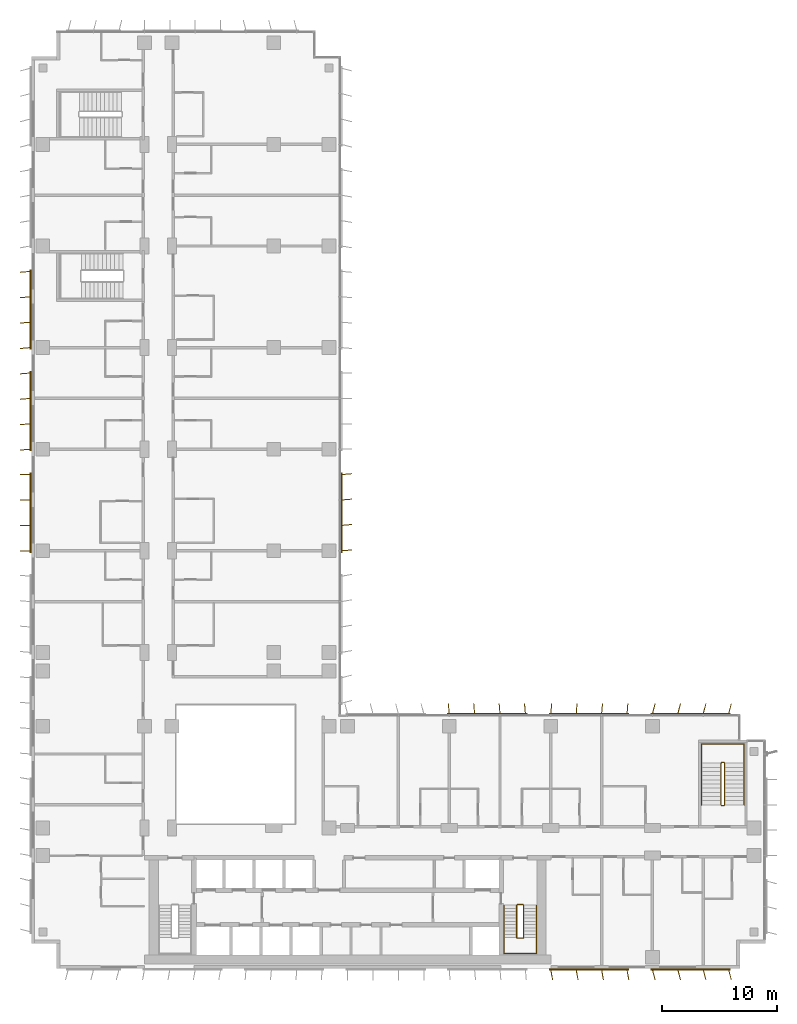
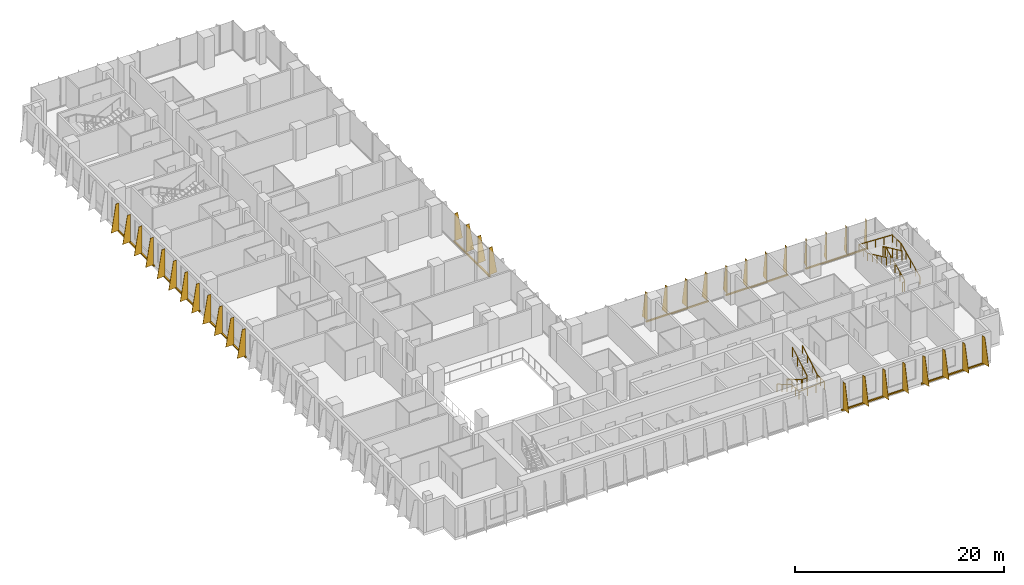
# One storey, part 21 of 23: 9 shading devices, 4 railings.
"""IFC4 building model written with IfcOpenShell, lengths in metres."""

from ifc_helpers import new_model, si_unit, direction, frame, origin, origin_2d, place, context, subcontext, project, spatial, polyline, rectangle, circle, outline, extrude, source, transform, mapped, material, layer, layer_set, type_object, element, save


model = new_model("IFC4")

# Units and contexts
model_context = context("Model", 3, precision=1e-05, world=origin(), true_north=direction((0.0, 1.0)))
body_context = subcontext(model_context, "Body", "Model", "MODEL_VIEW")
ifc_project = project(units=[si_unit("LENGTHUNIT", "METRE"), si_unit("AREAUNIT", "SQUARE_METRE"), si_unit("VOLUMEUNIT", "CUBIC_METRE"), si_unit("PLANEANGLEUNIT", "RADIAN"), si_unit("MASSUNIT", "GRAM", prefix="KILO")], contexts=[model_context])

# Site, building, storey
site_placement = place(None, origin())
site = spatial("IfcSite", under=ifc_project, at=site_placement, CompositionType="ELEMENT")
building_placement = place(site_placement, origin())
building = spatial("IfcBuilding", under=site, at=building_placement, Name="Kemantara Hotel Tower", CompositionType="ELEMENT")
storey_placement = place(building_placement, frame((0.0, 0.0, 118.5)))
storey = spatial("IfcBuildingStorey", under=building, at=storey_placement, Name="L28", CompositionType="ELEMENT", Elevation=118.5)

# Railings
ifc_material_1 = material(Name="Stainless steel balustrade", Category="steel")
railing_type_1 = type_object("IfcRailingType", Name="Stair guard 1100 mm", PredefinedType="GUARDRAIL", material=ifc_material_1)
railing_1_placement = place(storey_placement, frame((42.64990234375, 5.5, 3.699951171875)))
element("IfcRailing", 1, at=railing_1_placement, inside=storey, type_object=railing_type_1, Name="L28 ST2 stair guard 1", PredefinedType="GUARDRAIL", context=body_context, shape_type="SweptSolid", body=[
    extrude(circle(Radius=0.02392578125, at=origin_2d()), frame((0.0, 0.0, 1.076171875), z_axis=(0.0, -0.857242210791, -0.514913383045), x_axis=(1.0, 0.0, 0.0)), (0.0, 0.0, 1.0), 3.266357421875),
    extrude(circle(Radius=0.02392578125, at=origin_2d()), frame((0.0, -2.800048828125, -0.60595703125), z_axis=(-0.273343290215, -0.274683208305, -0.921863645432), x_axis=(0.708833529934, -0.705375805398, 0.0)), (0.0, 0.0, 1.0), 0.18212890625),
    extrude(circle(Radius=0.02392578125, at=origin_2d()), frame((-0.0498046875, -2.85009765625, -0.77392578125), z_axis=(-1.0, 0.0, 0.0), x_axis=(0.0, -1.0, 0.0)), (0.0, 0.0, 1.0), 0.5),
    extrude(circle(Radius=0.02392578125, at=origin_2d()), frame((-0.5498046875, -2.85009765625, -0.77392578125), z_axis=(-0.707106781187, 0.707106781187, 0.0), x_axis=(-0.707106781187, -0.707106781187, 0.0)), (0.0, 0.0, 1.0), 0.07080078125),
    extrude(circle(Radius=0.02392578125, at=origin_2d()), frame((-0.599853515625, -2.800048828125, -0.77392578125), z_axis=(0.0, 0.857242210791, -0.514913383045), x_axis=(-1.0, 0.0, 0.0)), (0.0, 0.0, 1.0), 3.266357421875),
    extrude(circle(Radius=0.02392578125, at=origin_2d()), frame((-0.599853515625, 0.0, -2.45556640625), z_axis=(0.274243871929, 0.274243871929, -0.92172696468), x_axis=(-0.707106781187, 0.707106781187, 0.0)), (0.0, 0.0, 1.0), 0.1826171875),
    extrude(circle(Radius=0.02392578125, at=origin_2d()), frame((-0.5498046875, 0.050048828125, -2.6240234375), z_axis=(1.0, 0.0, 0.0), x_axis=(0.0, 1.0, 0.0)), (0.0, 0.0, 1.0), 0.5),
    extrude(circle(Radius=0.02099609375, at=origin_2d()), origin(), (0.0, 0.0, 1.0), 1.052001953125),
    extrude(circle(Radius=0.02099609375, at=origin_2d()), frame((0.0, -0.933349609375, -0.560546875)), (0.0, 0.0, 1.0), 1.052001953125),
    extrude(circle(Radius=0.02099609375, at=origin_2d()), frame((0.0, -1.86669921875, -1.121337890625)), (0.0, 0.0, 1.0), 1.052001953125),
    extrude(circle(Radius=0.02099609375, at=origin_2d()), frame((0.0, -2.800048828125, -1.681884765625)), (0.0, 0.0, 1.0), 1.052001953125),
    extrude(circle(Radius=0.02099609375, at=origin_2d()), frame((-0.0498046875, -2.85009765625, -1.849853515625)), (0.0, 0.0, 1.0), 1.052001953125),
    extrude(circle(Radius=0.02099609375, at=origin_2d()), frame((-0.5498046875, -2.85009765625, -1.849853515625)), (0.0, 0.0, 1.0), 1.052001953125),
    extrude(circle(Radius=0.02099609375, at=origin_2d()), frame((-0.599853515625, -2.800048828125, -1.849853515625)), (0.0, 0.0, 1.0), 1.052001953125),
    extrude(circle(Radius=0.02099609375, at=origin_2d()), frame((-0.599853515625, -1.86669921875, -2.410400390625)), (0.0, 0.0, 1.0), 1.052001953125),
    extrude(circle(Radius=0.02099609375, at=origin_2d()), frame((-0.599853515625, -0.933349609375, -2.97119140625)), (0.0, 0.0, 1.0), 1.052001953125),
    extrude(circle(Radius=0.02099609375, at=origin_2d()), frame((-0.599853515625, 0.0, -3.53173828125)), (0.0, 0.0, 1.0), 1.052001953125),
    extrude(circle(Radius=0.02099609375, at=origin_2d()), frame((-0.5498046875, 0.050048828125, -3.699951171875)), (0.0, 0.0, 1.0), 1.052001953125),
    extrude(circle(Radius=0.02099609375, at=origin_2d()), frame((-0.0498046875, 0.050048828125, -3.699951171875)), (0.0, 0.0, 1.0), 1.052001953125),
])
railing_2_placement = place(storey_placement, frame((59.75, 14.199951171875, 3.699951171875)))
element("IfcRailing", 2, at=railing_2_placement, inside=storey, type_object=railing_type_1, Name="L28 ST3 stair guard 1", PredefinedType="GUARDRAIL", context=body_context, shape_type="SweptSolid", body=[
    extrude(circle(Radius=0.02392578125, at=origin_2d()), frame((0.0, 0.0, 1.076171875), z_axis=(0.0, 0.906005689286, -0.423265508849), x_axis=(-1.0, 0.0, 0.0)), (0.0, 0.0, 1.0), 3.9736328125),
    extrude(circle(Radius=0.02392578125, at=origin_2d()), frame((0.0, 3.60009765625, -0.60595703125), z_axis=(0.274582412415, 0.274582412415, -0.921525364591), x_axis=(-0.707106781187, 0.707106781187, 0.0)), (0.0, 0.0, 1.0), 0.182373046875),
    extrude(circle(Radius=0.02392578125, at=origin_2d()), frame((0.050048828125, 3.650146484375, -0.77392578125), z_axis=(1.0, 0.0, 0.0), x_axis=(0.0, 1.0, 0.0)), (0.0, 0.0, 1.0), 0.199951171875),
    extrude(circle(Radius=0.02392578125, at=origin_2d()), frame((0.25, 3.650146484375, -0.77392578125), z_axis=(0.707106781187, -0.707106781187, 0.0), x_axis=(0.707106781187, 0.707106781187, 0.0)), (0.0, 0.0, 1.0), 0.07080078125),
    extrude(circle(Radius=0.02392578125, at=origin_2d()), frame((0.300048828125, 3.60009765625, -0.77392578125), z_axis=(0.0, -0.906005689286, -0.423265508849), x_axis=(1.0, 0.0, 0.0)), (0.0, 0.0, 1.0), 3.9736328125),
    extrude(circle(Radius=0.02392578125, at=origin_2d()), frame((0.300048828125, 0.0, -2.45556640625), z_axis=(-0.274243871929, -0.274243871929, -0.92172696468), x_axis=(0.707106781187, -0.707106781187, 0.0)), (0.0, 0.0, 1.0), 0.1826171875),
    extrude(circle(Radius=0.02392578125, at=origin_2d()), frame((0.25, -0.050048828125, -2.6240234375), z_axis=(-1.0, 0.0, 0.0), x_axis=(0.0, -1.0, 0.0)), (0.0, 0.0, 1.0), 0.199951171875),
    extrude(circle(Radius=0.02099609375, at=origin_2d()), origin(), (0.0, 0.0, 1.0), 1.052001953125),
    extrude(circle(Radius=0.02099609375, at=origin_2d()), frame((0.0, 0.89990234375, -0.42041015625)), (0.0, 0.0, 1.0), 1.052001953125),
    extrude(circle(Radius=0.02099609375, at=origin_2d()), frame((0.0, 1.800048828125, -0.8408203125)), (0.0, 0.0, 1.0), 1.052001953125),
    extrude(circle(Radius=0.02099609375, at=origin_2d()), frame((0.0, 2.7001953125, -1.261474609375)), (0.0, 0.0, 1.0), 1.052001953125),
    extrude(circle(Radius=0.02099609375, at=origin_2d()), frame((0.0, 3.60009765625, -1.681884765625)), (0.0, 0.0, 1.0), 1.052001953125),
    extrude(circle(Radius=0.02099609375, at=origin_2d()), frame((0.050048828125, 3.650146484375, -1.849853515625)), (0.0, 0.0, 1.0), 1.052001953125),
    extrude(circle(Radius=0.02099609375, at=origin_2d()), frame((0.25, 3.650146484375, -1.849853515625)), (0.0, 0.0, 1.0), 1.052001953125),
    extrude(circle(Radius=0.02099609375, at=origin_2d()), frame((0.300048828125, 3.60009765625, -1.849853515625)), (0.0, 0.0, 1.0), 1.052001953125),
    extrude(circle(Radius=0.02099609375, at=origin_2d()), frame((0.300048828125, 2.7001953125, -2.270263671875)), (0.0, 0.0, 1.0), 1.052001953125),
    extrude(circle(Radius=0.02099609375, at=origin_2d()), frame((0.300048828125, 1.800048828125, -2.69091796875)), (0.0, 0.0, 1.0), 1.052001953125),
    extrude(circle(Radius=0.02099609375, at=origin_2d()), frame((0.300048828125, 0.89990234375, -3.111328125)), (0.0, 0.0, 1.0), 1.052001953125),
    extrude(circle(Radius=0.02099609375, at=origin_2d()), frame((0.300048828125, 0.0, -3.53173828125)), (0.0, 0.0, 1.0), 1.052001953125),
    extrude(circle(Radius=0.02099609375, at=origin_2d()), frame((0.25, -0.050048828125, -3.699951171875)), (0.0, 0.0, 1.0), 1.052001953125),
    extrude(circle(Radius=0.02099609375, at=origin_2d()), frame((0.050048828125, -0.050048828125, -3.699951171875)), (0.0, 0.0, 1.0), 1.052001953125),
])
railing_type_2 = type_object("IfcRailingType", Name="Stair handrail 900 mm", PredefinedType="HANDRAIL", material=ifc_material_1)
railing_3_placement = place(storey_placement, frame((40.949951171875, 5.5, 0.168212890625)))
element("IfcRailing", 3, at=railing_3_placement, inside=storey, type_object=railing_type_2, Name="L28 ST2 stair handrail 1", PredefinedType="HANDRAIL", context=body_context, shape_type="SweptSolid", body=[
    extrude(circle(Radius=0.02392578125, at=origin_2d()), frame((0.0, 0.0, 0.8759765625), z_axis=(0.0, -0.857242210791, 0.514913383045), x_axis=(1.0, 0.0, 0.0)), (0.0, 0.0, 1.0), 3.266357421875),
    extrude(circle(Radius=0.02392578125, at=origin_2d()), frame((0.0, -2.800048828125, 2.5576171875), z_axis=(0.0, -1.0, 0.0), x_axis=(1.0, 0.0, 0.0)), (0.0, 0.0, 1.0), 1.3798828125),
    extrude(circle(Radius=0.02392578125, at=origin_2d()), frame((0.0, -4.179931640625, 2.5576171875), z_axis=(0.998205573864, 0.0, 0.059880149518), x_axis=(0.0, 1.0, 0.0)), (0.0, 0.0, 1.0), 2.80517578125),
    extrude(circle(Radius=0.02392578125, at=origin_2d()), frame((2.800048828125, -4.179931640625, 2.7255859375), z_axis=(0.0, 1.0, 0.0), x_axis=(-1.0, 0.0, 0.0)), (0.0, 0.0, 1.0), 1.3798828125),
    extrude(circle(Radius=0.02392578125, at=origin_2d()), frame((2.800048828125, -2.800048828125, 2.7255859375), z_axis=(0.0, 0.857242210791, 0.514913383045), x_axis=(-1.0, 0.0, 0.0)), (0.0, 0.0, 1.0), 3.266357421875),
    extrude(circle(Radius=0.02099609375, at=origin_2d()), origin(), (0.0, 0.0, 1.0), 0.851806640625),
    extrude(circle(Radius=0.02099609375, at=origin_2d()), frame((0.0, -0.933349609375, 0.560546875)), (0.0, 0.0, 1.0), 0.851806640625),
    extrude(circle(Radius=0.02099609375, at=origin_2d()), frame((0.0, -1.86669921875, 1.121337890625)), (0.0, 0.0, 1.0), 0.851806640625),
    extrude(circle(Radius=0.02099609375, at=origin_2d()), frame((0.0, -2.800048828125, 1.681884765625)), (0.0, 0.0, 1.0), 0.851806640625),
    extrude(circle(Radius=0.02099609375, at=origin_2d()), frame((0.0, -3.489990234375, 1.681884765625)), (0.0, 0.0, 1.0), 0.851806640625),
    extrude(circle(Radius=0.02099609375, at=origin_2d()), frame((0.0, -4.179931640625, 1.681884765625)), (0.0, 0.0, 1.0), 0.851806640625),
    extrude(circle(Radius=0.02099609375, at=origin_2d()), frame((0.933349609375, -4.179931640625, 1.73779296875)), (0.0, 0.0, 1.0), 0.851806640625),
    extrude(circle(Radius=0.02099609375, at=origin_2d()), frame((1.86669921875, -4.179931640625, 1.7939453125)), (0.0, 0.0, 1.0), 0.851806640625),
    extrude(circle(Radius=0.02099609375, at=origin_2d()), frame((2.800048828125, -4.179931640625, 1.849853515625)), (0.0, 0.0, 1.0), 0.851806640625),
    extrude(circle(Radius=0.02099609375, at=origin_2d()), frame((2.800048828125, -3.489990234375, 1.849853515625)), (0.0, 0.0, 1.0), 0.851806640625),
    extrude(circle(Radius=0.02099609375, at=origin_2d()), frame((2.800048828125, -2.800048828125, 1.849853515625)), (0.0, 0.0, 1.0), 0.851806640625),
    extrude(circle(Radius=0.02099609375, at=origin_2d()), frame((2.800048828125, -1.86669921875, 2.410400390625)), (0.0, 0.0, 1.0), 0.851806640625),
    extrude(circle(Radius=0.02099609375, at=origin_2d()), frame((2.800048828125, -0.933349609375, 2.97119140625)), (0.0, 0.0, 1.0), 0.851806640625),
    extrude(circle(Radius=0.02099609375, at=origin_2d()), frame((2.800048828125, 0.0, 3.53173828125)), (0.0, 0.0, 1.0), 0.851806640625),
])
railing_4_placement = place(storey_placement, frame((61.75, 14.199951171875, 0.168212890625)))
element("IfcRailing", 4, at=railing_4_placement, inside=storey, type_object=railing_type_2, Name="L28 ST3 stair handrail 1", PredefinedType="HANDRAIL", context=body_context, shape_type="SweptSolid", body=[
    extrude(circle(Radius=0.02392578125, at=origin_2d()), frame((0.0, 0.0, 0.8759765625), z_axis=(0.0, 0.906005689286, 0.423265508849), x_axis=(-1.0, 0.0, 0.0)), (0.0, 0.0, 1.0), 3.9736328125),
    extrude(circle(Radius=0.02392578125, at=origin_2d()), frame((0.0, 3.60009765625, 2.5576171875), z_axis=(0.0, 1.0, 0.0), x_axis=(-1.0, 0.0, 0.0)), (0.0, 0.0, 1.0), 1.679931640625),
    extrude(circle(Radius=0.02392578125, at=origin_2d()), frame((0.0, 5.280029296875, 2.5576171875), z_axis=(-0.998971120908, 0.0, 0.045350849963), x_axis=(0.0, -1.0, 0.0)), (0.0, 0.0, 1.0), 3.703857421875),
    extrude(circle(Radius=0.02392578125, at=origin_2d()), frame((-3.699951171875, 5.280029296875, 2.7255859375), z_axis=(0.0, -1.0, 0.0), x_axis=(1.0, 0.0, 0.0)), (0.0, 0.0, 1.0), 1.679931640625),
    extrude(circle(Radius=0.02392578125, at=origin_2d()), frame((-3.699951171875, 3.60009765625, 2.7255859375), z_axis=(0.0, -0.906005689286, 0.423265508849), x_axis=(1.0, 0.0, 0.0)), (0.0, 0.0, 1.0), 3.9736328125),
    extrude(circle(Radius=0.02099609375, at=origin_2d()), origin(), (0.0, 0.0, 1.0), 0.851806640625),
    extrude(circle(Radius=0.02099609375, at=origin_2d()), frame((0.0, 0.89990234375, 0.42041015625)), (0.0, 0.0, 1.0), 0.851806640625),
    extrude(circle(Radius=0.02099609375, at=origin_2d()), frame((0.0, 1.800048828125, 0.8408203125)), (0.0, 0.0, 1.0), 0.851806640625),
    extrude(circle(Radius=0.02099609375, at=origin_2d()), frame((0.0, 2.7001953125, 1.261474609375)), (0.0, 0.0, 1.0), 0.851806640625),
    extrude(circle(Radius=0.02099609375, at=origin_2d()), frame((0.0, 3.60009765625, 1.681884765625)), (0.0, 0.0, 1.0), 0.851806640625),
    extrude(circle(Radius=0.02099609375, at=origin_2d()), frame((0.0, 4.43994140625, 1.681884765625)), (0.0, 0.0, 1.0), 0.851806640625),
    extrude(circle(Radius=0.02099609375, at=origin_2d()), frame((0.0, 5.280029296875, 1.681884765625)), (0.0, 0.0, 1.0), 0.851806640625),
    extrude(circle(Radius=0.02099609375, at=origin_2d()), frame((-0.925048828125, 5.280029296875, 1.723876953125)), (0.0, 0.0, 1.0), 0.851806640625),
    extrude(circle(Radius=0.02099609375, at=origin_2d()), frame((-1.85009765625, 5.280029296875, 1.765869140625)), (0.0, 0.0, 1.0), 0.851806640625),
    extrude(circle(Radius=0.02099609375, at=origin_2d()), frame((-2.77490234375, 5.280029296875, 1.807861328125)), (0.0, 0.0, 1.0), 0.851806640625),
    extrude(circle(Radius=0.02099609375, at=origin_2d()), frame((-3.699951171875, 5.280029296875, 1.849853515625)), (0.0, 0.0, 1.0), 0.851806640625),
    extrude(circle(Radius=0.02099609375, at=origin_2d()), frame((-3.699951171875, 4.43994140625, 1.849853515625)), (0.0, 0.0, 1.0), 0.851806640625),
    extrude(circle(Radius=0.02099609375, at=origin_2d()), frame((-3.699951171875, 3.60009765625, 1.849853515625)), (0.0, 0.0, 1.0), 0.851806640625),
    extrude(circle(Radius=0.02099609375, at=origin_2d()), frame((-3.699951171875, 2.7001953125, 2.270263671875)), (0.0, 0.0, 1.0), 0.851806640625),
    extrude(circle(Radius=0.02099609375, at=origin_2d()), frame((-3.699951171875, 1.800048828125, 2.69091796875)), (0.0, 0.0, 1.0), 0.851806640625),
    extrude(circle(Radius=0.02099609375, at=origin_2d()), frame((-3.699951171875, 0.89990234375, 3.111328125)), (0.0, 0.0, 1.0), 0.851806640625),
    extrude(circle(Radius=0.02099609375, at=origin_2d()), frame((-3.699951171875, 0.0, 3.53173828125)), (0.0, 0.0, 1.0), 0.851806640625),
])

# Shading devices
ifc_material_2 = material(Name="Perforated aluminium plate 4 mm bronze anodised", Category="aluminium")
ifc_layer_1 = layer(ifc_material_2, 0.0400390625)
ifc_layer_set_1 = layer_set([ifc_layer_1], Name="Perforated aluminium plate 4 mm bronze anodised")
shading_device_type_1 = type_object("IfcShadingDeviceType", Name="SCREEN FIN CASSETTE, 4 BLADES AT -5.0 DEG, 3200 HIGH", PredefinedType="USERDEFINED", material=ifc_layer_set_1)
shared_shape_1 = source(origin(), body_context, "Body", "SweptSolid", [
    extrude(rectangle(XDim=6.89990234375, YDim=0.14990234375, at=origin_2d()), frame((3.300048828125, -0.074951171875, -0.14990234375), z_axis=(0.0, 0.0, 1.0), x_axis=(1.0, 0.0, 0.0)), (0.0, 0.0, 1.0), 0.14990234375),
    extrude(outline(polyline([(0.0, 0.0), (0.89990234375, 0.0), (0.35009765625, 3.199951171875), (0.0, 3.199951171875), (0.0, 0.0)])), frame((0.02001953125, -0.07666015625, 0.0), z_axis=(-0.996376129781, 0.085056498884, 0.0), x_axis=(-0.085056498884, -0.996376129781, 0.0)), (0.0, 0.0, 1.0), 0.040283203125),
    extrude(outline(polyline([(0.0, 0.0), (0.89990234375, 0.0), (0.35009765625, 3.199951171875), (0.0, 3.199951171875), (0.0, 0.0)])), frame((2.219970703125, -0.07666015625, 0.0), z_axis=(-0.996331773833, 0.085574508182, 0.0), x_axis=(-0.085574508182, -0.996331773833, 0.0)), (0.0, 0.0, 1.0), 0.0400390625),
    extrude(outline(polyline([(0.0, 0.0), (0.89990234375, 0.0), (0.35009765625, 3.199951171875), (0.0, 3.199951171875), (0.0, 0.0)])), frame((4.419921875, -0.07666015625, 0.0), z_axis=(-0.996331773833, 0.085574508182, 0.0), x_axis=(-0.085574508182, -0.996331773833, 0.0)), (0.0, 0.0, 1.0), 0.0400390625),
    extrude(outline(polyline([(0.0, 0.0), (0.89990234375, 0.0), (0.35009765625, 3.199951171875), (0.0, 3.199951171875), (0.0, 0.0)])), frame((6.619873046875, -0.07666015625, 0.0), z_axis=(-0.996331773833, 0.085574508182, 0.0), x_axis=(-0.085574508182, -0.996331773833, 0.0)), (0.0, 0.0, 1.0), 0.0400390625),
])
shading_device_1_placement = place(storey_placement, frame((51.60009765625, 22.0, 0.10009765625), z_axis=(0.0, 0.0, 1.0), x_axis=(-1.0, 0.0, 0.0)))
element("IfcShadingDevice", 5, at=shading_device_1_placement, inside=storey, type_object=shading_device_type_1, Name="SCREEN FIN CASSETTE L28 T2-R13-2", ObjectType="SCREEN FIN", PredefinedType="USERDEFINED", context=body_context, shape_type="MappedRepresentation", body=[
    mapped(shared_shape_1, transform((0.0, 0.0, 0.0))),
])
ifc_layer_2 = layer(ifc_material_2, 0.0400390625)
ifc_layer_set_2 = layer_set([ifc_layer_2], Name="Perforated aluminium plate 4 mm bronze anodised")
shading_device_type_2 = type_object("IfcShadingDeviceType", Name="SCREEN FIN CASSETTE, 4 BLADES AT +0.0 DEG, 3200 HIGH", PredefinedType="USERDEFINED", material=ifc_layer_set_2)
shared_shape_2 = source(origin(), body_context, "Body", "SweptSolid", [
    extrude(rectangle(XDim=6.89990234375, YDim=0.14990234375, at=origin_2d()), frame((3.300048828125, -0.074951171875, -0.14990234375), z_axis=(0.0, 0.0, 1.0), x_axis=(1.0, 0.0, 0.0)), (0.0, 0.0, 1.0), 0.14990234375),
    extrude(outline(polyline([(0.0, 0.0), (0.89990234375, 0.0), (0.35009765625, 3.199951171875), (0.0, 3.199951171875), (0.0, 0.0)])), frame((0.02001953125, -0.074951171875, 0.0), z_axis=(-1.0, 0.0, 0.0), x_axis=(0.0, -1.0, 0.0)), (0.0, 0.0, 1.0), 0.0400390625),
    extrude(outline(polyline([(0.0, 0.0), (0.89990234375, 0.0), (0.35009765625, 3.199951171875), (0.0, 3.199951171875), (0.0, 0.0)])), frame((2.219970703125, -0.074951171875, 0.0), z_axis=(-1.0, 0.0, 0.0), x_axis=(0.0, -1.0, 0.0)), (0.0, 0.0, 1.0), 0.0400390625),
    extrude(outline(polyline([(0.0, 0.0), (0.89990234375, 0.0), (0.35009765625, 3.199951171875), (0.0, 3.199951171875), (0.0, 0.0)])), frame((4.419921875, -0.074951171875, 0.0), z_axis=(-1.0, 0.0, 0.0), x_axis=(0.0, -1.0, 0.0)), (0.0, 0.0, 1.0), 0.0400390625),
    extrude(outline(polyline([(0.0, 0.0), (0.89990234375, 0.0), (0.35009765625, 3.199951171875), (0.0, 3.199951171875), (0.0, 0.0)])), frame((6.6201171875, -0.074951171875, 0.0), z_axis=(-1.0, 0.0, 0.0), x_axis=(0.0, -1.0, 0.0)), (0.0, 0.0, 1.0), 0.0400390625),
])
shading_device_2_placement = place(storey_placement, frame((0.0, 42.800048828125, 0.10009765625), z_axis=(0.0, 0.0, 1.0), x_axis=(0.0, -1.0, 0.0)))
element("IfcShadingDevice", 6, at=shading_device_2_placement, inside=storey, type_object=shading_device_type_2, Name="SCREEN FIN CASSETTE L28 T2-R04-5", ObjectType="SCREEN FIN", PredefinedType="USERDEFINED", context=body_context, shape_type="MappedRepresentation", body=[
    mapped(shared_shape_2, transform((0.0, 0.0, 0.0))),
])
ifc_layer_3 = layer(ifc_material_2, 0.0400390625)
ifc_layer_set_3 = layer_set([ifc_layer_3], Name="Perforated aluminium plate 4 mm bronze anodised")
shading_device_type_3 = type_object("IfcShadingDeviceType", Name="SCREEN FIN CASSETTE, 4 BLADES AT +5.0 DEG, 3200 HIGH", PredefinedType="USERDEFINED", material=ifc_layer_set_3)
shared_shape_3 = source(origin(), body_context, "Body", "SweptSolid", [
    extrude(rectangle(XDim=6.89990234375, YDim=0.14990234375, at=origin_2d()), frame((3.300048828125, -0.074951171875, -0.14990234375), z_axis=(0.0, 0.0, 1.0), x_axis=(1.0, 0.0, 0.0)), (0.0, 0.0, 1.0), 0.14990234375),
    extrude(outline(polyline([(0.0, 0.0), (0.89990234375, 0.0), (0.35009765625, 3.199951171875), (0.0, 3.199951171875), (0.0, 0.0)])), frame((0.02001953125, -0.0732421875, 0.0), z_axis=(-0.996376129781, -0.085056498884, 0.0), x_axis=(0.085056498884, -0.996376129781, 0.0)), (0.0, 0.0, 1.0), 0.040283203125),
    extrude(outline(polyline([(0.0, 0.0), (0.89990234375, 0.0), (0.35009765625, 3.199951171875), (0.0, 3.199951171875), (0.0, 0.0)])), frame((2.219970703125, -0.0732421875, 0.0), z_axis=(-0.996331773833, -0.085574508182, 0.0), x_axis=(0.085574508182, -0.996331773833, 0.0)), (0.0, 0.0, 1.0), 0.0400390625),
    extrude(outline(polyline([(0.0, 0.0), (0.89990234375, 0.0), (0.35009765625, 3.199951171875), (0.0, 3.199951171875), (0.0, 0.0)])), frame((4.419921875, -0.0732421875, 0.0), z_axis=(-0.996331773833, -0.085574508182, 0.0), x_axis=(0.085574508182, -0.996331773833, 0.0)), (0.0, 0.0, 1.0), 0.0400390625),
    extrude(outline(polyline([(0.0, 0.0), (0.89990234375, 0.0), (0.35009765625, 3.199951171875), (0.0, 3.199951171875), (0.0, 0.0)])), frame((6.619873046875, -0.0732421875, 0.0), z_axis=(-0.996331773833, -0.085574508182, 0.0), x_axis=(0.085574508182, -0.996331773833, 0.0)), (0.0, 0.0, 1.0), 0.0400390625),
])
for number, where, z_axis, x_axis, name in (
    (7, (0.0, 60.39990234375, 0.10009765625), (0.0, 0.0, 1.0), (0.0, -1.0, 0.0), "SCREEN FIN CASSETTE L28 T2-R04-3"),
    (8, (0.0, 51.60009765625, 0.10009765625), (0.0, 0.0, 1.0), (0.0, -1.0, 0.0), "SCREEN FIN CASSETTE L28 T2-R04-4"),
    (9, (42.800048828125, 22.0, 0.10009765625), (0.0, 0.0, 1.0), (-1.0, 0.0, 0.0), "SCREEN FIN CASSETTE L28 T2-R13-3"),
    (10, (26.800048828125, 36.199951171875, 0.10009765625), (0.0, 0.0, 1.0), (0.0, 1.0, 0.0), "SCREEN FIN CASSETTE L28 T2-R14-3"),
):
    element("IfcShadingDevice", number, at=place(storey_placement, frame(where, z_axis=z_axis, x_axis=x_axis)), inside=storey, type_object=shading_device_type_3, Name=name, ObjectType="SCREEN FIN", PredefinedType="USERDEFINED", context=body_context, shape_type="MappedRepresentation", body=[
        mapped(shared_shape_3, transform((0.0, 0.0, 0.0))),
    ])
ifc_layer_4 = layer(ifc_material_2, 0.0400390625)
ifc_layer_set_4 = layer_set([ifc_layer_4], Name="Perforated aluminium plate 4 mm bronze anodised")
shading_device_type_4 = type_object("IfcShadingDeviceType", Name="SCREEN FIN CASSETTE, 4 BLADES AT +10.0 DEG, 3200 HIGH", PredefinedType="USERDEFINED", material=ifc_layer_set_4)
shared_shape_4 = source(origin(), body_context, "Body", "SweptSolid", [
    extrude(rectangle(XDim=6.89990234375, YDim=0.14990234375, at=origin_2d()), frame((3.300048828125, -0.074951171875, -0.14990234375), z_axis=(0.0, 0.0, 1.0), x_axis=(1.0, 0.0, 0.0)), (0.0, 0.0, 1.0), 0.14990234375),
    extrude(outline(polyline([(0.0, 0.0), (0.89990234375, 0.0), (0.35009765625, 3.199951171875), (0.0, 3.199951171875), (0.0, 0.0)])), frame((0.019775390625, -0.071533203125, 0.0), z_axis=(-0.985389793052, -0.170314285219, 0.0), x_axis=(0.170314285219, -0.985389793052, 0.0)), (0.0, 0.0, 1.0), 0.0400390625),
    extrude(outline(polyline([(0.0, 0.0), (0.89990234375, 0.0), (0.35009765625, 3.199951171875), (0.0, 3.199951171875), (0.0, 0.0)])), frame((2.2197265625, -0.071533203125, 0.0), z_axis=(-0.98521175482, -0.171341174751, 0.0), x_axis=(0.171341174751, -0.98521175482, 0.0)), (0.0, 0.0, 1.0), 0.039794921875),
    extrude(outline(polyline([(0.0, 0.0), (0.89990234375, 0.0), (0.35009765625, 3.199951171875), (0.0, 3.199951171875), (0.0, 0.0)])), frame((4.419677734375, -0.071533203125, 0.0), z_axis=(-0.98521175482, -0.171341174751, 0.0), x_axis=(0.171341174751, -0.98521175482, 0.0)), (0.0, 0.0, 1.0), 0.039794921875),
    extrude(outline(polyline([(0.0, 0.0), (0.89990234375, 0.0), (0.35009765625, 3.199951171875), (0.0, 3.199951171875), (0.0, 0.0)])), frame((6.61962890625, -0.071533203125, 0.0), z_axis=(-0.98521175482, -0.171341174751, 0.0), x_axis=(0.171341174751, -0.98521175482, 0.0)), (0.0, 0.0, 1.0), 0.039794921875),
])
shading_device_3_placement = place(storey_placement, frame((45.0, 0.0, 0.10009765625), z_axis=(0.0, 0.0, 1.0), x_axis=(1.0, 0.0, 0.0)))
element("IfcShadingDevice", 11, at=shading_device_3_placement, inside=storey, type_object=shading_device_type_4, Name="SCREEN FIN CASSETTE L28 T2-R07-6", ObjectType="SCREEN FIN", PredefinedType="USERDEFINED", context=body_context, shape_type="MappedRepresentation", body=[
    mapped(shared_shape_4, transform((0.0, 0.0, 0.0))),
])
ifc_layer_5 = layer(ifc_material_2, 0.0400390625)
ifc_layer_set_5 = layer_set([ifc_layer_5], Name="Perforated aluminium plate 4 mm bronze anodised")
shading_device_type_5 = type_object("IfcShadingDeviceType", Name="SCREEN FIN CASSETTE, 4 BLADES AT +15.0 DEG, 3200 HIGH", PredefinedType="USERDEFINED", material=ifc_layer_set_5)
shared_shape_5 = source(origin(), body_context, "Body", "SweptSolid", [
    extrude(rectangle(XDim=6.89990234375, YDim=0.14990234375, at=origin_2d()), frame((3.300048828125, -0.074951171875, -0.14990234375), z_axis=(0.0, 0.0, 1.0), x_axis=(1.0, 0.0, 0.0)), (0.0, 0.0, 1.0), 0.14990234375),
    extrude(outline(polyline([(0.0, 0.0), (0.89990234375, 0.0), (0.35009765625, 3.199951171875), (0.0, 3.199951171875), (0.0, 0.0)])), frame((0.019287109375, -0.06982421875, 0.0), z_axis=(-0.966437683387, -0.256901156343, 0.0), x_axis=(0.256901156343, -0.966437683387, 0.0)), (0.0, 0.0, 1.0), 0.039794921875),
    extrude(outline(polyline([(0.0, 0.0), (0.89990234375, 0.0), (0.35009765625, 3.199951171875), (0.0, 3.199951171875), (0.0, 0.0)])), frame((2.21923828125, -0.06982421875, 0.0), z_axis=(-0.966437683387, -0.256901156343, 0.0), x_axis=(0.256901156343, -0.966437683387, 0.0)), (0.0, 0.0, 1.0), 0.039794921875),
    extrude(outline(polyline([(0.0, 0.0), (0.89990234375, 0.0), (0.35009765625, 3.199951171875), (0.0, 3.199951171875), (0.0, 0.0)])), frame((4.41943359375, -0.06982421875, 0.0), z_axis=(-0.966837822169, -0.255391122837, 0.0), x_axis=(0.255391122837, -0.966837822169, 0.0)), (0.0, 0.0, 1.0), 0.0400390625),
    extrude(outline(polyline([(0.0, 0.0), (0.89990234375, 0.0), (0.35009765625, 3.199951171875), (0.0, 3.199951171875), (0.0, 0.0)])), frame((6.619384765625, -0.06982421875, 0.0), z_axis=(-0.966837822169, -0.255391122837, 0.0), x_axis=(0.255391122837, -0.966837822169, 0.0)), (0.0, 0.0, 1.0), 0.0400390625),
])
shading_device_4_placement = place(storey_placement, frame((53.800048828125, 0.0, 0.10009765625), z_axis=(0.0, 0.0, 1.0), x_axis=(1.0, 0.0, 0.0)))
element("IfcShadingDevice", 12, at=shading_device_4_placement, inside=storey, type_object=shading_device_type_5, Name="SCREEN FIN CASSETTE L28 T2-R07-7", ObjectType="SCREEN FIN", PredefinedType="USERDEFINED", context=body_context, shape_type="MappedRepresentation", body=[
    mapped(shared_shape_5, transform((0.0, 0.0, 0.0))),
])
ifc_layer_6 = layer(ifc_material_2, 0.0400390625)
ifc_layer_set_6 = layer_set([ifc_layer_6], Name="Perforated aluminium plate 4 mm bronze anodised")
shading_device_type_6 = type_object("IfcShadingDeviceType", Name="SCREEN FIN CASSETTE, 4 BLADES AT -15.0 DEG, 3200 HIGH", PredefinedType="USERDEFINED", material=ifc_layer_set_6)
shared_shape_6 = source(origin(), body_context, "Body", "SweptSolid", [
    extrude(rectangle(XDim=6.89990234375, YDim=0.14990234375, at=origin_2d()), frame((3.300048828125, -0.074951171875, -0.14990234375), z_axis=(0.0, 0.0, 1.0), x_axis=(1.0, 0.0, 0.0)), (0.0, 0.0, 1.0), 0.14990234375),
    extrude(outline(polyline([(0.0, 0.0), (0.89990234375, 0.0), (0.35009765625, 3.199951171875), (0.0, 3.199951171875), (0.0, 0.0)])), frame((0.019287109375, -0.080078125, 0.0), z_axis=(-0.966437683387, 0.256901156343, 0.0), x_axis=(-0.256901156343, -0.966437683387, 0.0)), (0.0, 0.0, 1.0), 0.039794921875),
    extrude(outline(polyline([(0.0, 0.0), (0.89990234375, 0.0), (0.35009765625, 3.199951171875), (0.0, 3.199951171875), (0.0, 0.0)])), frame((2.21923828125, -0.080078125, 0.0), z_axis=(-0.966437683387, 0.256901156343, 0.0), x_axis=(-0.256901156343, -0.966437683387, 0.0)), (0.0, 0.0, 1.0), 0.039794921875),
    extrude(outline(polyline([(0.0, 0.0), (0.89990234375, 0.0), (0.35009765625, 3.199951171875), (0.0, 3.199951171875), (0.0, 0.0)])), frame((4.41943359375, -0.080078125, 0.0), z_axis=(-0.966837822169, 0.255391122837, 0.0), x_axis=(-0.255391122837, -0.966837822169, 0.0)), (0.0, 0.0, 1.0), 0.0400390625),
    extrude(outline(polyline([(0.0, 0.0), (0.89990234375, 0.0), (0.35009765625, 3.199951171875), (0.0, 3.199951171875), (0.0, 0.0)])), frame((6.619384765625, -0.080078125, 0.0), z_axis=(-0.966837822169, 0.255391122837, 0.0), x_axis=(-0.255391122837, -0.966837822169, 0.0)), (0.0, 0.0, 1.0), 0.0400390625),
])
shading_device_5_placement = place(storey_placement, frame((60.39990234375, 22.0, 0.10009765625), z_axis=(0.0, 0.0, 1.0), x_axis=(-1.0, 0.0, 0.0)))
element("IfcShadingDevice", 13, at=shading_device_5_placement, inside=storey, type_object=shading_device_type_6, Name="SCREEN FIN CASSETTE L28 T2-R13-1", ObjectType="SCREEN FIN", PredefinedType="USERDEFINED", context=body_context, shape_type="MappedRepresentation", body=[
    mapped(shared_shape_6, transform((0.0, 0.0, 0.0))),
])

save(model, "model.ifc")
